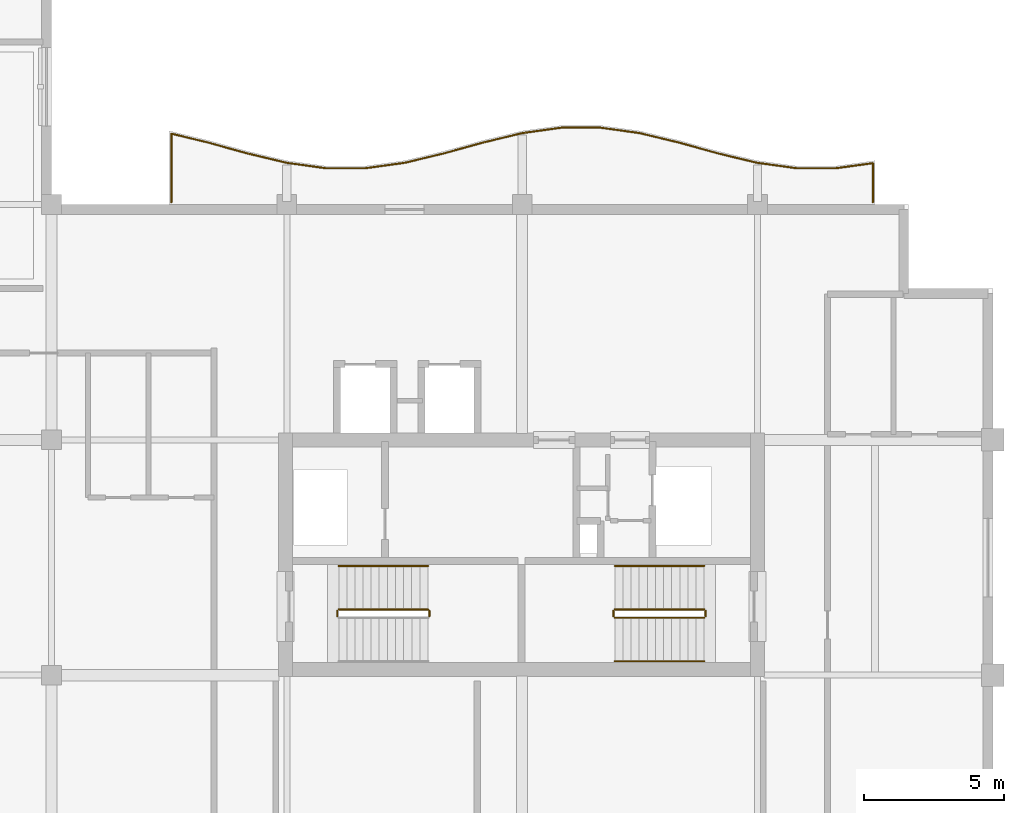
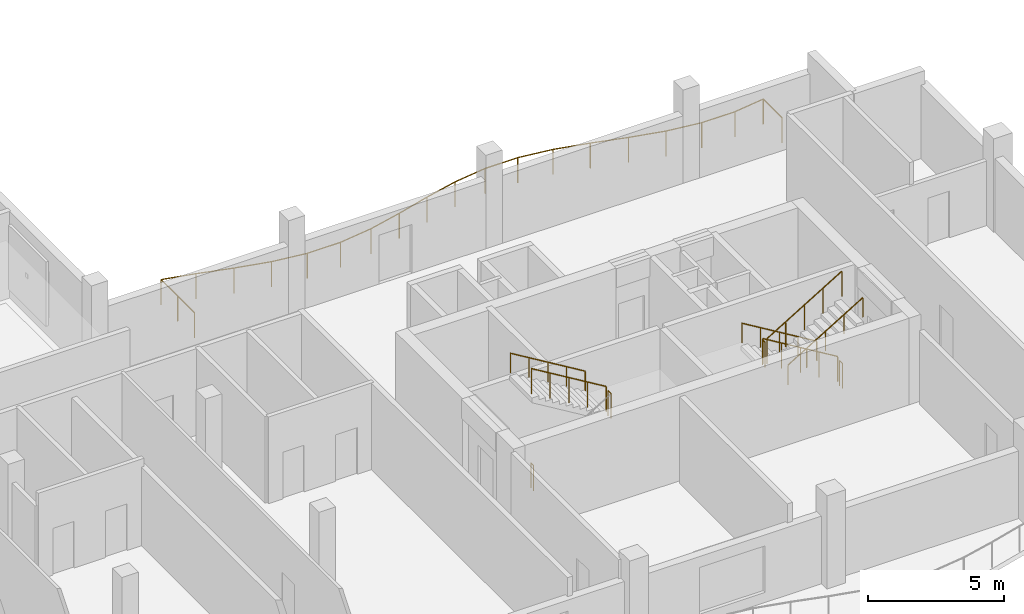
# One storey, part 10 of 11: 11 railings.
"""IFC4 building model written with IfcOpenShell, lengths in metres."""

from ifc_helpers import new_model, si_unit, direction, frame, origin, origin_2d, place, context, subcontext, project, spatial, circle, extrude, material, type_object, element, save


model = new_model("IFC4")

# Units and contexts
model_context = context("Model", 3, precision=1e-05, world=origin(), true_north=direction((0.0, 1.0)))
body_context = subcontext(model_context, "Body", "Model", "MODEL_VIEW")
ifc_project = project(units=[si_unit("LENGTHUNIT", "METRE"), si_unit("AREAUNIT", "SQUARE_METRE"), si_unit("VOLUMEUNIT", "CUBIC_METRE"), si_unit("PLANEANGLEUNIT", "RADIAN"), si_unit("MASSUNIT", "GRAM", prefix="KILO")], contexts=[model_context])

# Site, building, storey
site_placement = place(None, origin())
site = spatial("IfcSite", under=ifc_project, at=site_placement, CompositionType="ELEMENT")
building_placement = place(site_placement, origin())
building = spatial("IfcBuilding", under=site, at=building_placement, Name="Koriwani Terraces Tower", CompositionType="ELEMENT")
storey_placement = place(building_placement, frame((0.0, 0.0, 359.60009765625)))
storey = spatial("IfcBuildingStorey", under=building, at=storey_placement, Name="L89", CompositionType="ELEMENT", Elevation=359.60009765625)

# Railings
ifc_material = material(Name="Steel ASTM A572 Grade 50", Category="steel")
railing_type_1 = type_object("IfcRailingType", Name="GUARD_BALUSTRADE_1150", PredefinedType="BALUSTRADE", material=ifc_material)
railing_1_placement = place(storey_placement, frame((62.919921875, 33.679931640625, 0.0)))
element("IfcRailing", 1, at=railing_1_placement, inside=storey, type_object=railing_type_1, Name="L89 Balcony Perimeter Safety Balustrade (NE)", PredefinedType="BALUSTRADE", context=body_context, shape_type="SweptSolid", body=[
    extrude(circle(Radius=0.02392578125, at=origin_2d()), frame((0.0, 0.0, 1.1259765625), z_axis=(0.0, 1.0, 0.0), x_axis=(-1.0, 0.0, 0.0)), (0.0, 0.0, 1.0), 1.39794921875),
    extrude(circle(Radius=0.02392578125, at=origin_2d()), frame((0.0, 1.39794921875, 1.1259765625), z_axis=(-0.99056178386, -0.137066963034, 0.0), x_axis=(0.137066963034, -0.99056178386, 0.0)), (0.0, 0.0, 1.0), 1.326904296875),
    extrude(circle(Radius=0.02392578125, at=origin_2d()), frame((-1.314453125, 1.216064453125, 1.1259765625), z_axis=(-1.0, 0.0, 0.0), x_axis=(0.0, -1.0, 0.0)), (0.0, 0.0, 1.0), 1.410888671875),
    extrude(circle(Radius=0.02392578125, at=origin_2d()), frame((-2.725341796875, 1.216064453125, 1.1259765625), z_axis=(-0.990534439774, 0.137264429555, 0.0), x_axis=(-0.137264429555, -0.990534439774, 0.0)), (0.0, 0.0, 1.0), 1.4228515625),
    extrude(circle(Radius=0.02392578125, at=origin_2d()), frame((-4.134765625, 1.411376953125, 1.1259765625), z_axis=(-0.972404167631, 0.233302667738, 0.0), x_axis=(-0.233302667738, -0.972404167631, 0.0)), (0.0, 0.0, 1.0), 1.445068359375),
    extrude(circle(Radius=0.02392578125, at=origin_2d()), frame((-5.5400390625, 1.74853515625, 1.1259765625), z_axis=(-0.963638196753, 0.267210452187, 0.0), x_axis=(-0.267210452187, -0.963638196753, 0.0)), (0.0, 0.0, 1.0), 1.45263671875),
    extrude(circle(Radius=0.02392578125, at=origin_2d()), frame((-6.93994140625, 2.13671875, 1.1259765625), z_axis=(-0.972353303141, 0.233514568862, 0.0), x_axis=(-0.233514568862, -0.972353303141, 0.0)), (0.0, 0.0, 1.0), 1.434326171875),
    extrude(circle(Radius=0.02392578125, at=origin_2d()), frame((-8.334716796875, 2.4716796875, 1.1259765625), z_axis=(-0.990518583157, 0.137378806302, 0.0), x_axis=(-0.137378806302, -0.990518583157, 0.0)), (0.0, 0.0, 1.0), 1.404052734375),
    extrude(circle(Radius=0.02392578125, at=origin_2d()), frame((-9.725341796875, 2.66455078125, 1.1259765625), z_axis=(-1.0, 0.0, 0.0), x_axis=(0.0, -1.0, 0.0)), (0.0, 0.0, 1.0), 1.38916015625),
    extrude(circle(Radius=0.02392578125, at=origin_2d()), frame((-11.114501953125, 2.66455078125, 1.1259765625), z_axis=(-0.990518583157, -0.137378806302, 0.0), x_axis=(0.137378806302, -0.990518583157, 0.0)), (0.0, 0.0, 1.0), 1.404052734375),
    extrude(circle(Radius=0.02392578125, at=origin_2d()), frame((-12.505126953125, 2.4716796875, 1.1259765625), z_axis=(-0.972353303141, -0.233514568862, 0.0), x_axis=(0.233514568862, -0.972353303141, 0.0)), (0.0, 0.0, 1.0), 1.434326171875),
    extrude(circle(Radius=0.02392578125, at=origin_2d()), frame((-13.89990234375, 2.13671875, 1.1259765625), z_axis=(-0.963638196753, -0.267210452187, 0.0), x_axis=(0.267210452187, -0.963638196753, 0.0)), (0.0, 0.0, 1.0), 1.45263671875),
    extrude(circle(Radius=0.02392578125, at=origin_2d()), frame((-15.2998046875, 1.74853515625, 1.1259765625), z_axis=(-0.972404167631, -0.233302667738, 0.0), x_axis=(0.233302667738, -0.972404167631, 0.0)), (0.0, 0.0, 1.0), 1.445068359375),
    extrude(circle(Radius=0.02392578125, at=origin_2d()), frame((-16.705078125, 1.411376953125, 1.1259765625), z_axis=(-0.990534439774, -0.137264429555, 0.0), x_axis=(0.137264429555, -0.990534439774, 0.0)), (0.0, 0.0, 1.0), 1.4228515625),
    extrude(circle(Radius=0.02392578125, at=origin_2d()), frame((-18.114501953125, 1.216064453125, 1.1259765625), z_axis=(-1.0, 0.0, 0.0), x_axis=(0.0, -1.0, 0.0)), (0.0, 0.0, 1.0), 1.410888671875),
    extrude(circle(Radius=0.02392578125, at=origin_2d()), frame((-19.525390625, 1.216064453125, 1.1259765625), z_axis=(-0.990534439774, 0.137264429555, 0.0), x_axis=(-0.137264429555, -0.990534439774, 0.0)), (0.0, 0.0, 1.0), 1.4228515625),
    extrude(circle(Radius=0.02392578125, at=origin_2d()), frame((-20.934814453125, 1.411376953125, 1.1259765625), z_axis=(-0.972394970075, 0.233340999769, 0.0), x_axis=(-0.233340999769, -0.972394970075, 0.0)), (0.0, 0.0, 1.0), 1.44482421875),
    extrude(circle(Radius=0.02392578125, at=origin_2d()), frame((-22.33984375, 1.74853515625, 1.1259765625), z_axis=(-0.963650193341, 0.26716718525, 0.0), x_axis=(-0.26716718525, -0.963650193341, 0.0)), (0.0, 0.0, 1.0), 1.452880859375),
    extrude(circle(Radius=0.02392578125, at=origin_2d()), frame((-23.739990234375, 2.13671875, 1.1259765625), z_axis=(-0.9723458494, 0.233545604015, 0.0), x_axis=(-0.233545604015, -0.9723458494, 0.0)), (0.0, 0.0, 1.0), 1.3369140625),
    extrude(circle(Radius=0.02392578125, at=origin_2d()), frame((-25.0400390625, 2.448974609375, 1.1259765625), z_axis=(0.0, -1.0, 0.0), x_axis=(1.0, 0.0, 0.0)), (0.0, 0.0, 1.0), 2.448974609375),
    extrude(circle(Radius=0.02099609375, at=origin_2d()), origin(), (0.0, 0.0, 1.0), 1.101806640625),
    extrude(circle(Radius=0.02099609375, at=origin_2d()), frame((0.0, 1.39794921875, 0.0)), (0.0, 0.0, 1.0), 1.101806640625),
    extrude(circle(Radius=0.02099609375, at=origin_2d()), frame((-1.314453125, 1.216064453125, 0.0)), (0.0, 0.0, 1.0), 1.101806640625),
    extrude(circle(Radius=0.02099609375, at=origin_2d()), frame((-2.725341796875, 1.216064453125, 0.0)), (0.0, 0.0, 1.0), 1.101806640625),
    extrude(circle(Radius=0.02099609375, at=origin_2d()), frame((-4.134765625, 1.411376953125, 0.0)), (0.0, 0.0, 1.0), 1.101806640625),
    extrude(circle(Radius=0.02099609375, at=origin_2d()), frame((-5.5400390625, 1.74853515625, 0.0)), (0.0, 0.0, 1.0), 1.101806640625),
    extrude(circle(Radius=0.02099609375, at=origin_2d()), frame((-6.93994140625, 2.13671875, 0.0)), (0.0, 0.0, 1.0), 1.101806640625),
    extrude(circle(Radius=0.02099609375, at=origin_2d()), frame((-8.334716796875, 2.4716796875, 0.0)), (0.0, 0.0, 1.0), 1.101806640625),
    extrude(circle(Radius=0.02099609375, at=origin_2d()), frame((-9.725341796875, 2.66455078125, 0.0)), (0.0, 0.0, 1.0), 1.101806640625),
    extrude(circle(Radius=0.02099609375, at=origin_2d()), frame((-11.114501953125, 2.66455078125, 0.0)), (0.0, 0.0, 1.0), 1.101806640625),
    extrude(circle(Radius=0.02099609375, at=origin_2d()), frame((-12.505126953125, 2.4716796875, 0.0)), (0.0, 0.0, 1.0), 1.101806640625),
    extrude(circle(Radius=0.02099609375, at=origin_2d()), frame((-13.89990234375, 2.13671875, 0.0)), (0.0, 0.0, 1.0), 1.101806640625),
    extrude(circle(Radius=0.02099609375, at=origin_2d()), frame((-15.2998046875, 1.74853515625, 0.0)), (0.0, 0.0, 1.0), 1.101806640625),
    extrude(circle(Radius=0.02099609375, at=origin_2d()), frame((-16.705078125, 1.411376953125, 0.0)), (0.0, 0.0, 1.0), 1.101806640625),
    extrude(circle(Radius=0.02099609375, at=origin_2d()), frame((-18.114501953125, 1.216064453125, 0.0)), (0.0, 0.0, 1.0), 1.101806640625),
    extrude(circle(Radius=0.02099609375, at=origin_2d()), frame((-19.525390625, 1.216064453125, 0.0)), (0.0, 0.0, 1.0), 1.101806640625),
    extrude(circle(Radius=0.02099609375, at=origin_2d()), frame((-20.934814453125, 1.411376953125, 0.0)), (0.0, 0.0, 1.0), 1.101806640625),
    extrude(circle(Radius=0.02099609375, at=origin_2d()), frame((-22.33984375, 1.74853515625, 0.0)), (0.0, 0.0, 1.0), 1.101806640625),
    extrude(circle(Radius=0.02099609375, at=origin_2d()), frame((-23.739990234375, 2.13671875, 0.0)), (0.0, 0.0, 1.0), 1.101806640625),
    extrude(circle(Radius=0.02099609375, at=origin_2d()), frame((-25.0400390625, 2.448974609375, 0.0)), (0.0, 0.0, 1.0), 1.101806640625),
    extrude(circle(Radius=0.02099609375, at=origin_2d()), frame((-25.0400390625, 1.224609375, 0.0)), (0.0, 0.0, 1.0), 1.101806640625),
    extrude(circle(Radius=0.02099609375, at=origin_2d()), frame((-25.0400390625, 0.0, 0.0)), (0.0, 0.0, 1.0), 1.101806640625),
])
railing_type_2 = type_object("IfcRailingType", Name="GUARD_STAIR_WELL_1120", PredefinedType="GUARDRAIL", material=ifc_material)
railing_2_placement = place(storey_placement, frame((47.090087890625, 18.89990234375, 2.099853515625)))
element("IfcRailing", 2, at=railing_2_placement, inside=storey, type_object=railing_type_2, Name="L89 ST-E1 stair guard 2", PredefinedType="GUARDRAIL", context=body_context, shape_type="SweptSolid", body=[
    extrude(circle(Radius=0.02392578125, at=origin_2d()), frame((0.0, 0.0, 1.1259765625), z_axis=(0.0, 1.0, 0.0), x_axis=(-1.0, 0.0, 0.0)), (0.0, 0.0, 1.0), 0.2001953125),
    extrude(circle(Radius=0.02099609375, at=origin_2d()), origin(), (0.0, 0.0, 1.0), 1.101806640625),
    extrude(circle(Radius=0.02099609375, at=origin_2d()), frame((0.0, 0.2001953125, 0.0)), (0.0, 0.0, 1.0), 1.101806640625),
])
railing_3_placement = place(storey_placement, frame((47.0400390625, 19.14990234375, 2.27490234375)))
element("IfcRailing", 3, at=railing_3_placement, inside=storey, type_object=railing_type_2, Name="L89 ST-E1 stair guard 3", PredefinedType="GUARDRAIL", context=body_context, shape_type="SweptSolid", body=[
    extrude(circle(Radius=0.02392578125, at=origin_2d()), frame((0.0, 0.0, 1.1259765625), z_axis=(-0.856177665481, 0.0, 0.516681531633), x_axis=(0.0, -1.0, 0.0)), (0.0, 0.0, 1.0), 3.725830078125),
    extrude(circle(Radius=0.02099609375, at=origin_2d()), origin(), (0.0, 0.0, 1.0), 1.101806640625),
    extrude(circle(Radius=0.02099609375, at=origin_2d()), frame((-0.79736328125, 0.0, 0.481201171875)), (0.0, 0.0, 1.0), 1.101806640625),
    extrude(circle(Radius=0.02099609375, at=origin_2d()), frame((-1.594970703125, 0.0, 0.96240234375)), (0.0, 0.0, 1.0), 1.101806640625),
    extrude(circle(Radius=0.02099609375, at=origin_2d()), frame((-2.392578125, 0.0, 1.44384765625)), (0.0, 0.0, 1.0), 1.101806640625),
    extrude(circle(Radius=0.02099609375, at=origin_2d()), frame((-3.18994140625, 0.0, 1.925048828125)), (0.0, 0.0, 1.0), 1.101806640625),
])
railing_4_placement = place(storey_placement, frame((43.800048828125, 18.89990234375, 0.0)))
element("IfcRailing", 4, at=railing_4_placement, inside=storey, type_object=railing_type_2, Name="L89 ST-E1 stair guard 4", PredefinedType="GUARDRAIL", context=body_context, shape_type="SweptSolid", body=[
    extrude(circle(Radius=0.02392578125, at=origin_2d()), frame((0.0, 0.0, 1.1259765625), z_axis=(0.0, 1.0, 0.0), x_axis=(-1.0, 0.0, 0.0)), (0.0, 0.0, 1.0), 0.2001953125),
    extrude(circle(Radius=0.02099609375, at=origin_2d()), origin(), (0.0, 0.0, 1.0), 1.101806640625),
    extrude(circle(Radius=0.02099609375, at=origin_2d()), frame((0.0, 0.2001953125, 0.0)), (0.0, 0.0, 1.0), 1.101806640625),
])
railing_5_placement = place(storey_placement, frame((56.89990234375, 19.14990234375, 0.1748046875)))
element("IfcRailing", 5, at=railing_5_placement, inside=storey, type_object=railing_type_2, Name="L89 ST-E2 stair guard 1", PredefinedType="GUARDRAIL", context=body_context, shape_type="SweptSolid", body=[
    extrude(circle(Radius=0.02392578125, at=origin_2d()), frame((0.0, 0.0, 1.1259765625), z_axis=(-0.856177665481, 0.0, 0.516681531633), x_axis=(0.0, -1.0, 0.0)), (0.0, 0.0, 1.0), 3.725830078125),
    extrude(circle(Radius=0.02099609375, at=origin_2d()), origin(), (0.0, 0.0, 1.0), 1.101806640625),
    extrude(circle(Radius=0.02099609375, at=origin_2d()), frame((-0.79736328125, 0.0, 0.481201171875)), (0.0, 0.0, 1.0), 1.101806640625),
    extrude(circle(Radius=0.02099609375, at=origin_2d()), frame((-1.594970703125, 0.0, 0.96240234375)), (0.0, 0.0, 1.0), 1.101806640625),
    extrude(circle(Radius=0.02099609375, at=origin_2d()), frame((-2.392578125, 0.0, 1.44384765625)), (0.0, 0.0, 1.0), 1.101806640625),
    extrude(circle(Radius=0.02099609375, at=origin_2d()), frame((-3.18994140625, 0.0, 1.925048828125)), (0.0, 0.0, 1.0), 1.101806640625),
])
railing_6_placement = place(storey_placement, frame((53.659912109375, 19.10009765625, 2.099853515625)))
element("IfcRailing", 6, at=railing_6_placement, inside=storey, type_object=railing_type_2, Name="L89 ST-E2 stair guard 2", PredefinedType="GUARDRAIL", context=body_context, shape_type="SweptSolid", body=[
    extrude(circle(Radius=0.02392578125, at=origin_2d()), frame((0.0, 0.0, 1.1259765625), z_axis=(0.0, -1.0, 0.0), x_axis=(1.0, 0.0, 0.0)), (0.0, 0.0, 1.0), 0.2001953125),
    extrude(circle(Radius=0.02099609375, at=origin_2d()), origin(), (0.0, 0.0, 1.0), 1.101806640625),
    extrude(circle(Radius=0.02099609375, at=origin_2d()), frame((0.0, -0.2001953125, 0.0)), (0.0, 0.0, 1.0), 1.101806640625),
])
railing_7_placement = place(storey_placement, frame((53.7099609375, 18.85009765625, 2.27490234375)))
element("IfcRailing", 7, at=railing_7_placement, inside=storey, type_object=railing_type_2, Name="L89 ST-E2 stair guard 3", PredefinedType="GUARDRAIL", context=body_context, shape_type="SweptSolid", body=[
    extrude(circle(Radius=0.02392578125, at=origin_2d()), frame((0.0, 0.0, 1.1259765625), z_axis=(0.856177665481, 0.0, 0.516681531633), x_axis=(0.0, 1.0, 0.0)), (0.0, 0.0, 1.0), 3.725830078125),
    extrude(circle(Radius=0.02099609375, at=origin_2d()), origin(), (0.0, 0.0, 1.0), 1.101806640625),
    extrude(circle(Radius=0.02099609375, at=origin_2d()), frame((0.79736328125, 0.0, 0.481201171875)), (0.0, 0.0, 1.0), 1.101806640625),
    extrude(circle(Radius=0.02099609375, at=origin_2d()), frame((1.594970703125, 0.0, 0.96240234375)), (0.0, 0.0, 1.0), 1.101806640625),
    extrude(circle(Radius=0.02099609375, at=origin_2d()), frame((2.392578125, 0.0, 1.44384765625)), (0.0, 0.0, 1.0), 1.101806640625),
    extrude(circle(Radius=0.02099609375, at=origin_2d()), frame((3.18994140625, 0.0, 1.925048828125)), (0.0, 0.0, 1.0), 1.101806640625),
])
railing_8_placement = place(storey_placement, frame((56.949951171875, 19.10009765625, 0.0)))
element("IfcRailing", 8, at=railing_8_placement, inside=storey, type_object=railing_type_2, Name="L89 ST-E2 stair guard 4", PredefinedType="GUARDRAIL", context=body_context, shape_type="SweptSolid", body=[
    extrude(circle(Radius=0.02392578125, at=origin_2d()), frame((0.0, 0.0, 1.1259765625), z_axis=(0.0, -1.0, 0.0), x_axis=(1.0, 0.0, 0.0)), (0.0, 0.0, 1.0), 0.2001953125),
    extrude(circle(Radius=0.02099609375, at=origin_2d()), origin(), (0.0, 0.0, 1.0), 1.101806640625),
    extrude(circle(Radius=0.02099609375, at=origin_2d()), frame((0.0, -0.2001953125, 0.0)), (0.0, 0.0, 1.0), 1.101806640625),
])
railing_type_3 = type_object("IfcRailingType", Name="HANDRAIL_STAIR_920", PredefinedType="HANDRAIL", material=ifc_material)
for number, where, name in (
    (9, (47.0400390625, 20.699951171875, 2.27490234375), "L89 ST-E1 stair handrail 2"),
    (10, (56.89990234375, 20.699951171875, 0.1748046875), "L89 ST-E2 stair handrail 1"),
):
    element("IfcRailing", number, at=place(storey_placement, frame(where)), inside=storey, type_object=railing_type_3, Name=name, PredefinedType="HANDRAIL", context=body_context, shape_type="SweptSolid", body=[
        extrude(circle(Radius=0.02392578125, at=origin_2d()), frame((0.0, 0.0, 0.8759765625), z_axis=(-0.856177665481, 0.0, 0.516681531633), x_axis=(0.0, -1.0, 0.0)), (0.0, 0.0, 1.0), 3.725830078125),
        extrude(circle(Radius=0.02099609375, at=origin_2d()), origin(), (0.0, 0.0, 1.0), 0.851806640625),
        extrude(circle(Radius=0.02099609375, at=origin_2d()), frame((-0.79736328125, 0.0, 0.481201171875)), (0.0, 0.0, 1.0), 0.851806640625),
        extrude(circle(Radius=0.02099609375, at=origin_2d()), frame((-1.594970703125, 0.0, 0.96240234375)), (0.0, 0.0, 1.0), 0.851806640625),
        extrude(circle(Radius=0.02099609375, at=origin_2d()), frame((-2.392578125, 0.0, 1.44384765625)), (0.0, 0.0, 1.0), 0.851806640625),
        extrude(circle(Radius=0.02099609375, at=origin_2d()), frame((-3.18994140625, 0.0, 1.925048828125)), (0.0, 0.0, 1.0), 0.851806640625),
    ])
railing_9_placement = place(storey_placement, frame((53.7099609375, 17.300048828125, 2.27490234375)))
element("IfcRailing", 11, at=railing_9_placement, inside=storey, type_object=railing_type_3, Name="L89 ST-E2 stair handrail 2", PredefinedType="HANDRAIL", context=body_context, shape_type="SweptSolid", body=[
    extrude(circle(Radius=0.02392578125, at=origin_2d()), frame((0.0, 0.0, 0.8759765625), z_axis=(0.856177665481, 0.0, 0.516681531633), x_axis=(0.0, 1.0, 0.0)), (0.0, 0.0, 1.0), 3.725830078125),
    extrude(circle(Radius=0.02099609375, at=origin_2d()), origin(), (0.0, 0.0, 1.0), 0.851806640625),
    extrude(circle(Radius=0.02099609375, at=origin_2d()), frame((0.79736328125, 0.0, 0.481201171875)), (0.0, 0.0, 1.0), 0.851806640625),
    extrude(circle(Radius=0.02099609375, at=origin_2d()), frame((1.594970703125, 0.0, 0.96240234375)), (0.0, 0.0, 1.0), 0.851806640625),
    extrude(circle(Radius=0.02099609375, at=origin_2d()), frame((2.392578125, 0.0, 1.44384765625)), (0.0, 0.0, 1.0), 0.851806640625),
    extrude(circle(Radius=0.02099609375, at=origin_2d()), frame((3.18994140625, 0.0, 1.925048828125)), (0.0, 0.0, 1.0), 0.851806640625),
])

save(model, "model.ifc")
